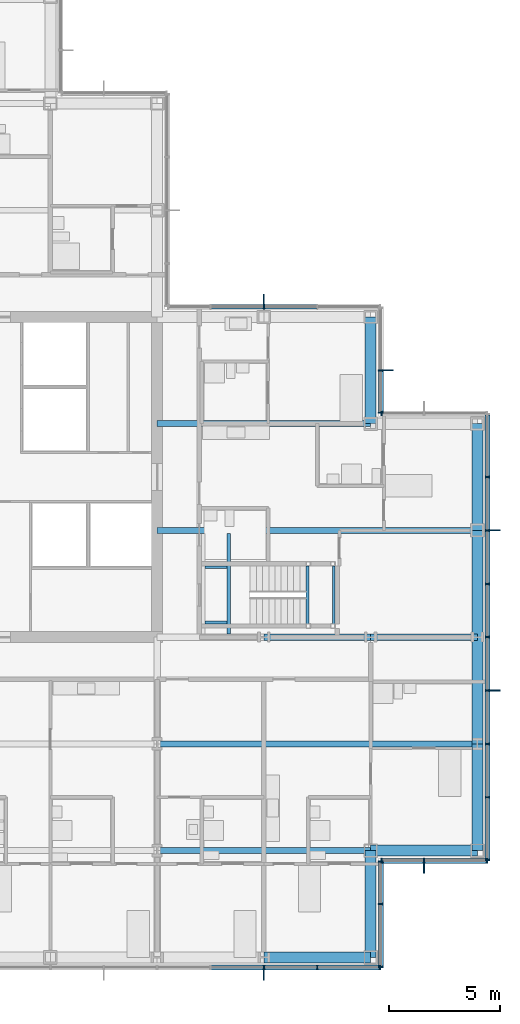
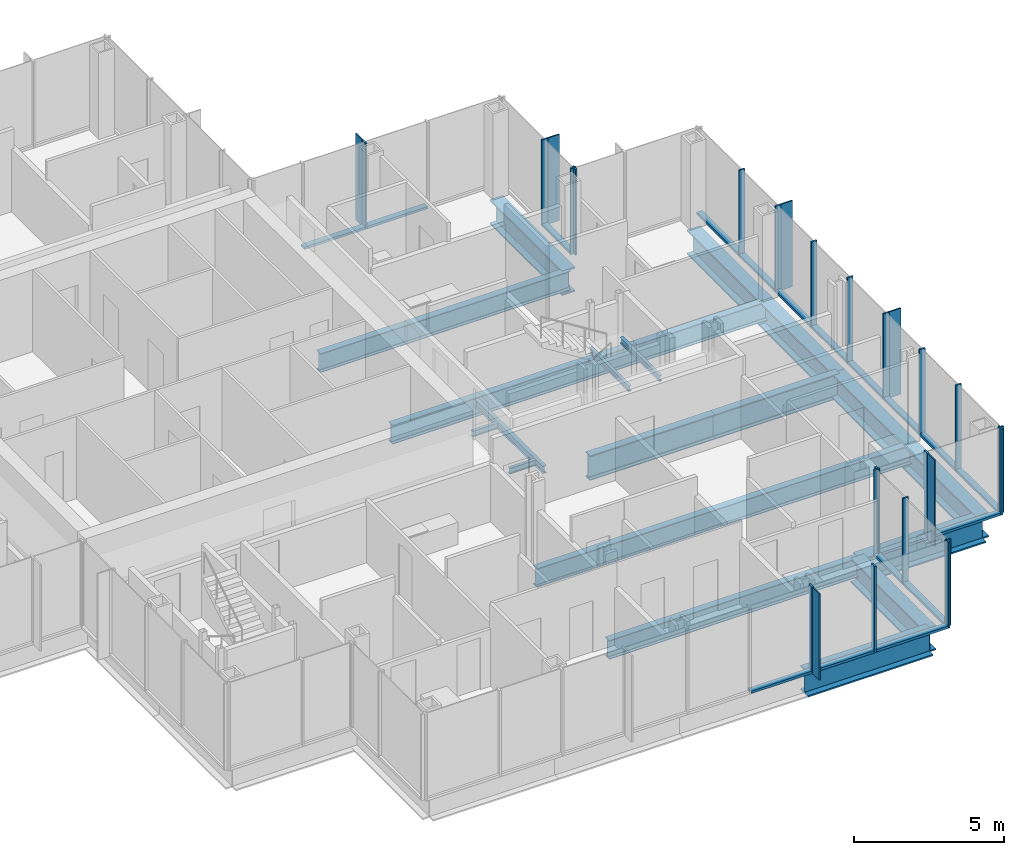
# One storey, part 8 of 20: 45 members, 19 beams, 7 elements without a shape of their own.
"""IFC4 building model written with IfcOpenShell, lengths in metres."""

from ifc_helpers import new_model, si_unit, direction, frame, origin, origin_2d, place, context, subcontext, project, spatial, rectangle, i_section, extrude, material, material_profile, profile_set, type_object, element, aggregate, save


model = new_model("IFC4")

# Units and contexts
model_context = context("Model", 3, precision=1e-05, world=origin(), true_north=direction((0.0, 1.0)))
body_context = subcontext(model_context, "Body", "Model", "MODEL_VIEW")
ifc_project = project(units=[si_unit("LENGTHUNIT", "METRE"), si_unit("AREAUNIT", "SQUARE_METRE"), si_unit("VOLUMEUNIT", "CUBIC_METRE"), si_unit("PLANEANGLEUNIT", "RADIAN"), si_unit("MASSUNIT", "GRAM", prefix="KILO")], contexts=[model_context])

# Site, building, storey
site_placement = place(None, origin())
site = spatial("IfcSite", under=ifc_project, at=site_placement, CompositionType="ELEMENT")
building_placement = place(site_placement, origin())
building = spatial("IfcBuilding", under=site, at=building_placement, Name="Kvirike Care Tower", CompositionType="ELEMENT")
storey_placement = place(building_placement, frame((0.0, 0.0, 115.5)))
storey = spatial("IfcBuildingStorey", under=building, at=storey_placement, Name="L31", CompositionType="ELEMENT", Elevation=115.5)

# Curtain wall, members
ifc_material_1 = material(Name="Anodised aluminium stick system", Category="aluminium")
curtain_wall_type = type_object("IfcCurtainWallType", Name="CW-B STICK CURTAIN WALL", PredefinedType="NOTDEFINED", material=ifc_material_1)
curtain_wall_1_placement = place(storey_placement, origin())
curtain_wall_1 = element("IfcCurtainWall", 1, at=curtain_wall_1_placement, inside=storey, type_object=curtain_wall_type, Name="Curtain wall L31 face 1", PredefinedType="NOTDEFINED")
ifc_material_2 = material(Name="Bronze anodised aluminium fin", Category="aluminium")
ifc_material_profile_1 = material_profile(ifc_material_2, rectangle(XDim=0.050048828125, YDim=0.449951171875, at=origin_2d()), Name="BRONZE FIN 450")
ifc_profile_set_1 = profile_set([ifc_material_profile_1], Name="Bronze anodised aluminium fin")
member_type_1 = type_object("IfcMemberType", Name="BRONZE FIN 450", PredefinedType="USERDEFINED", material=ifc_profile_set_1)
member_1_placement = place(storey_placement, frame((43.9951171875, 26.39990234375, 0.0), z_axis=(0.0, 0.0, 1.0), x_axis=(0.0, 1.0, 0.0)))
member_1 = element("IfcMember", 2, at=member_1_placement, type_object=member_type_1, Name="Bronze fin L31 face 1.4", ObjectType="FIN", PredefinedType="USERDEFINED", context=body_context, shape_type="SweptSolid", body=[
    extrude(rectangle(XDim=0.050048828125, YDim=0.449951171875, at=origin_2d()), origin(), (0.0, 0.0, 1.0), 3.5),
])
member_2_placement = place(storey_placement, frame((43.9951171875, 33.60009765625, 0.0), z_axis=(0.0, 0.0, 1.0), x_axis=(0.0, 1.0, 0.0)))
member_2 = element("IfcMember", 3, at=member_2_placement, type_object=member_type_1, Name="Bronze fin L31 face 1.7", ObjectType="FIN", PredefinedType="USERDEFINED", context=body_context, shape_type="SweptSolid", body=[
    extrude(rectangle(XDim=0.050048828125, YDim=0.449951171875, at=origin_2d()), origin(), (0.0, 0.0, 1.0), 3.5),
])

# Curtain wall, member
curtain_wall_2_placement = place(storey_placement, origin())
curtain_wall_2 = element("IfcCurtainWall", 4, at=curtain_wall_2_placement, inside=storey, type_object=curtain_wall_type, Name="Curtain wall L31 face 3", PredefinedType="NOTDEFINED")
member_3_placement = place(storey_placement, frame((39.195068359375, 40.800048828125, 0.0), z_axis=(0.0, 0.0, 1.0), x_axis=(0.0, 1.0, 0.0)))
member_3 = element("IfcMember", 5, at=member_3_placement, type_object=member_type_1, Name="Bronze fin L31 face 3.2", ObjectType="FIN", PredefinedType="USERDEFINED", context=body_context, shape_type="SweptSolid", body=[
    extrude(rectangle(XDim=0.050048828125, YDim=0.449951171875, at=origin_2d()), origin(), (0.0, 0.0, 1.0), 3.5),
])

curtain_wall_3_placement = place(storey_placement, origin())
curtain_wall_3 = element("IfcCurtainWall", 6, at=curtain_wall_3_placement, inside=storey, type_object=curtain_wall_type, Name="Curtain wall L31 face 4", PredefinedType="NOTDEFINED")
member_4_placement = place(storey_placement, frame((33.60009765625, 43.9951171875, 0.0), z_axis=(0.0, 0.0, 1.0), x_axis=(-1.0, 0.0, 0.0)))
member_4 = element("IfcMember", 7, at=member_4_placement, type_object=member_type_1, Name="Bronze fin L31 face 4.3", ObjectType="FIN", PredefinedType="USERDEFINED", context=body_context, shape_type="SweptSolid", body=[
    extrude(rectangle(XDim=0.050048828125, YDim=0.449951171875, at=origin_2d()), origin(), (0.0, 0.0, 1.0), 3.5),
])

curtain_wall_4_placement = place(storey_placement, origin())
curtain_wall_4 = element("IfcCurtainWall", 8, at=curtain_wall_4_placement, inside=storey, type_object=curtain_wall_type, Name="Curtain wall L31 face 18", PredefinedType="NOTDEFINED")
member_5_placement = place(storey_placement, frame((33.60009765625, 13.60498046875, 0.0), z_axis=(0.0, 0.0, 1.0), x_axis=(1.0, 0.0, 0.0)))
member_5 = element("IfcMember", 9, at=member_5_placement, type_object=member_type_1, Name="Bronze fin L31 face 18.7", ObjectType="FIN", PredefinedType="USERDEFINED", context=body_context, shape_type="SweptSolid", body=[
    extrude(rectangle(XDim=0.050048828125, YDim=0.449951171875, at=origin_2d()), origin(), (0.0, 0.0, 1.0), 3.5),
])

curtain_wall_5_placement = place(storey_placement, origin())
curtain_wall_5 = element("IfcCurtainWall", 10, at=curtain_wall_5_placement, inside=storey, type_object=curtain_wall_type, Name="Curtain wall L31 face 20", PredefinedType="NOTDEFINED")
member_6_placement = place(storey_placement, frame((40.800048828125, 18.405029296875, 0.0), z_axis=(0.0, 0.0, 1.0), x_axis=(1.0, 0.0, 0.0)))
member_6 = element("IfcMember", 11, at=member_6_placement, type_object=member_type_1, Name="Bronze fin L31 face 20.2", ObjectType="FIN", PredefinedType="USERDEFINED", context=body_context, shape_type="SweptSolid", body=[
    extrude(rectangle(XDim=0.050048828125, YDim=0.449951171875, at=origin_2d()), origin(), (0.0, 0.0, 1.0), 3.5),
])

# Member
ifc_material_3 = material(Name="Bronze anodised aluminium mullion", Category="aluminium")
ifc_material_profile_2 = material_profile(ifc_material_3, rectangle(XDim=0.06494140625, YDim=0.219970703125, at=origin_2d()), Name="CW-B MULLION 65x220")
ifc_profile_set_2 = profile_set([ifc_material_profile_2], Name="Bronze anodised aluminium mullion")
member_type_2 = type_object("IfcMemberType", Name="CW-B MULLION 65x220", PredefinedType="MULLION", material=ifc_profile_set_2)
member_7_placement = place(storey_placement, frame((43.659912109375, 18.7724609375, 0.0), z_axis=(0.0, 0.0, 1.0), x_axis=(0.0, 1.0, 0.0)))
member_7 = element("IfcMember", 12, at=member_7_placement, type_object=member_type_2, Name="CW-B mullion L31 face 1.1", PredefinedType="MULLION", context=body_context, shape_type="SweptSolid", body=[
    extrude(rectangle(XDim=0.06494140625, YDim=0.219970703125, at=origin_2d()), origin(), (0.0, 0.0, 1.0), 3.5),
])

member_8_placement = place(storey_placement, frame((43.659912109375, 21.60009765625, 0.0), z_axis=(0.0, 0.0, 1.0), x_axis=(0.0, 1.0, 0.0)))
member_8 = element("IfcMember", 13, at=member_8_placement, type_object=member_type_2, Name="CW-B mullion L31 face 1.2", PredefinedType="MULLION", context=body_context, shape_type="SweptSolid", body=[
    extrude(rectangle(XDim=0.06494140625, YDim=0.219970703125, at=origin_2d()), origin(), (0.0, 0.0, 1.0), 3.5),
])

member_9_placement = place(storey_placement, frame((43.659912109375, 24.0, 0.0), z_axis=(0.0, 0.0, 1.0), x_axis=(0.0, 1.0, 0.0)))
member_9 = element("IfcMember", 14, at=member_9_placement, type_object=member_type_2, Name="CW-B mullion L31 face 1.3", PredefinedType="MULLION", context=body_context, shape_type="SweptSolid", body=[
    extrude(rectangle(XDim=0.06494140625, YDim=0.219970703125, at=origin_2d()), origin(), (0.0, 0.0, 1.0), 3.5),
])

member_10_placement = place(storey_placement, frame((43.659912109375, 26.39990234375, 0.0), z_axis=(0.0, 0.0, 1.0), x_axis=(0.0, 1.0, 0.0)))
member_10 = element("IfcMember", 15, at=member_10_placement, type_object=member_type_2, Name="CW-B mullion L31 face 1.4", PredefinedType="MULLION", context=body_context, shape_type="SweptSolid", body=[
    extrude(rectangle(XDim=0.06494140625, YDim=0.219970703125, at=origin_2d()), origin(), (0.0, 0.0, 1.0), 3.5),
])

member_11_placement = place(storey_placement, frame((43.659912109375, 28.800048828125, 0.0), z_axis=(0.0, 0.0, 1.0), x_axis=(0.0, 1.0, 0.0)))
member_11 = element("IfcMember", 16, at=member_11_placement, type_object=member_type_2, Name="CW-B mullion L31 face 1.5", PredefinedType="MULLION", context=body_context, shape_type="SweptSolid", body=[
    extrude(rectangle(XDim=0.06494140625, YDim=0.219970703125, at=origin_2d()), origin(), (0.0, 0.0, 1.0), 3.5),
])

member_12_placement = place(storey_placement, frame((43.659912109375, 31.199951171875, 0.0), z_axis=(0.0, 0.0, 1.0), x_axis=(0.0, 1.0, 0.0)))
member_12 = element("IfcMember", 17, at=member_12_placement, type_object=member_type_2, Name="CW-B mullion L31 face 1.6", PredefinedType="MULLION", context=body_context, shape_type="SweptSolid", body=[
    extrude(rectangle(XDim=0.06494140625, YDim=0.219970703125, at=origin_2d()), origin(), (0.0, 0.0, 1.0), 3.5),
])

member_13_placement = place(storey_placement, frame((43.659912109375, 33.60009765625, 0.0), z_axis=(0.0, 0.0, 1.0), x_axis=(0.0, 1.0, 0.0)))
member_13 = element("IfcMember", 18, at=member_13_placement, type_object=member_type_2, Name="CW-B mullion L31 face 1.7", PredefinedType="MULLION", context=body_context, shape_type="SweptSolid", body=[
    extrude(rectangle(XDim=0.06494140625, YDim=0.219970703125, at=origin_2d()), origin(), (0.0, 0.0, 1.0), 3.5),
])

member_14_placement = place(storey_placement, frame((43.659912109375, 36.0, 0.0), z_axis=(0.0, 0.0, 1.0), x_axis=(0.0, 1.0, 0.0)))
member_14 = element("IfcMember", 19, at=member_14_placement, type_object=member_type_2, Name="CW-B mullion L31 face 1.8", PredefinedType="MULLION", context=body_context, shape_type="SweptSolid", body=[
    extrude(rectangle(XDim=0.06494140625, YDim=0.219970703125, at=origin_2d()), origin(), (0.0, 0.0, 1.0), 3.5),
])

# Curtain wall, member
curtain_wall_6_placement = place(storey_placement, origin())
curtain_wall_6 = element("IfcCurtainWall", 20, at=curtain_wall_6_placement, inside=storey, type_object=curtain_wall_type, Name="Curtain wall L31 face 2", PredefinedType="NOTDEFINED")
member_15_placement = place(storey_placement, frame((38.892578125, 38.860107421875, 0.0), z_axis=(0.0, 0.0, 1.0), x_axis=(-1.0, 0.0, 0.0)))
member_15 = element("IfcMember", 21, at=member_15_placement, type_object=member_type_2, Name="CW-B mullion L31 face 2.3", PredefinedType="MULLION", context=body_context, shape_type="SweptSolid", body=[
    extrude(rectangle(XDim=0.06494140625, YDim=0.219970703125, at=origin_2d()), origin(), (0.0, 0.0, 1.0), 3.5),
])
aggregate(curtain_wall_6, [member_15])

# Member
member_16_placement = place(storey_placement, frame((38.860107421875, 38.892578125, 0.0), z_axis=(0.0, 0.0, 1.0), x_axis=(0.0, 1.0, 0.0)))
member_16 = element("IfcMember", 22, at=member_16_placement, type_object=member_type_2, Name="CW-B mullion L31 face 3.1", PredefinedType="MULLION", context=body_context, shape_type="SweptSolid", body=[
    extrude(rectangle(XDim=0.06494140625, YDim=0.219970703125, at=origin_2d()), origin(), (0.0, 0.0, 1.0), 3.5),
])

member_17_placement = place(storey_placement, frame((38.860107421875, 40.800048828125, 0.0), z_axis=(0.0, 0.0, 1.0), x_axis=(0.0, 1.0, 0.0)))
member_17 = element("IfcMember", 23, at=member_17_placement, type_object=member_type_2, Name="CW-B mullion L31 face 3.2", PredefinedType="MULLION", context=body_context, shape_type="SweptSolid", body=[
    extrude(rectangle(XDim=0.06494140625, YDim=0.219970703125, at=origin_2d()), origin(), (0.0, 0.0, 1.0), 3.5),
])

member_18_placement = place(storey_placement, frame((33.60009765625, 43.659912109375, 0.0), z_axis=(0.0, 0.0, 1.0), x_axis=(-1.0, 0.0, 0.0)))
member_18 = element("IfcMember", 24, at=member_18_placement, type_object=member_type_2, Name="CW-B mullion L31 face 4.3", PredefinedType="MULLION", context=body_context, shape_type="SweptSolid", body=[
    extrude(rectangle(XDim=0.06494140625, YDim=0.219970703125, at=origin_2d()), origin(), (0.0, 0.0, 1.0), 3.5),
])

member_19_placement = place(storey_placement, frame((33.60009765625, 13.93994140625, 0.0), z_axis=(0.0, 0.0, 1.0), x_axis=(1.0, 0.0, 0.0)))
member_19 = element("IfcMember", 25, at=member_19_placement, type_object=member_type_2, Name="CW-B mullion L31 face 18.7", PredefinedType="MULLION", context=body_context, shape_type="SweptSolid", body=[
    extrude(rectangle(XDim=0.06494140625, YDim=0.219970703125, at=origin_2d()), origin(), (0.0, 0.0, 1.0), 3.5),
])

member_20_placement = place(storey_placement, frame((36.0, 13.93994140625, 0.0), z_axis=(0.0, 0.0, 1.0), x_axis=(1.0, 0.0, 0.0)))
member_20 = element("IfcMember", 26, at=member_20_placement, type_object=member_type_2, Name="CW-B mullion L31 face 18.8", PredefinedType="MULLION", context=body_context, shape_type="SweptSolid", body=[
    extrude(rectangle(XDim=0.06494140625, YDim=0.219970703125, at=origin_2d()), origin(), (0.0, 0.0, 1.0), 3.5),
])

member_21_placement = place(storey_placement, frame((38.827392578125, 13.93994140625, 0.0), z_axis=(0.0, 0.0, 1.0), x_axis=(1.0, 0.0, 0.0)))
member_21 = element("IfcMember", 27, at=member_21_placement, type_object=member_type_2, Name="CW-B mullion L31 face 18.9", PredefinedType="MULLION", context=body_context, shape_type="SweptSolid", body=[
    extrude(rectangle(XDim=0.06494140625, YDim=0.219970703125, at=origin_2d()), origin(), (0.0, 0.0, 1.0), 3.5),
])

# Curtain wall, members
curtain_wall_7_placement = place(storey_placement, origin())
curtain_wall_7 = element("IfcCurtainWall", 28, at=curtain_wall_7_placement, inside=storey, type_object=curtain_wall_type, Name="Curtain wall L31 face 19", PredefinedType="NOTDEFINED")
member_22_placement = place(storey_placement, frame((38.860107421875, 13.972412109375, 0.0), z_axis=(0.0, 0.0, 1.0), x_axis=(0.0, 1.0, 0.0)))
member_22 = element("IfcMember", 29, at=member_22_placement, type_object=member_type_2, Name="CW-B mullion L31 face 19.1", PredefinedType="MULLION", context=body_context, shape_type="SweptSolid", body=[
    extrude(rectangle(XDim=0.06494140625, YDim=0.219970703125, at=origin_2d()), origin(), (0.0, 0.0, 1.0), 3.5),
])
member_23_placement = place(storey_placement, frame((38.860107421875, 16.800048828125, 0.0), z_axis=(0.0, 0.0, 1.0), x_axis=(0.0, 1.0, 0.0)))
member_23 = element("IfcMember", 30, at=member_23_placement, type_object=member_type_2, Name="CW-B mullion L31 face 19.2", PredefinedType="MULLION", context=body_context, shape_type="SweptSolid", body=[
    extrude(rectangle(XDim=0.06494140625, YDim=0.219970703125, at=origin_2d()), origin(), (0.0, 0.0, 1.0), 3.5),
])
member_24_placement = place(storey_placement, frame((38.860107421875, 18.70751953125, 0.0), z_axis=(0.0, 0.0, 1.0), x_axis=(0.0, 1.0, 0.0)))
member_24 = element("IfcMember", 31, at=member_24_placement, type_object=member_type_2, Name="CW-B mullion L31 face 19.3", PredefinedType="MULLION", context=body_context, shape_type="SweptSolid", body=[
    extrude(rectangle(XDim=0.06494140625, YDim=0.219970703125, at=origin_2d()), origin(), (0.0, 0.0, 1.0), 3.5),
])

# Member
member_25_placement = place(storey_placement, frame((38.892578125, 18.739990234375, 0.0), z_axis=(0.0, 0.0, 1.0), x_axis=(1.0, 0.0, 0.0)))
member_25 = element("IfcMember", 32, at=member_25_placement, type_object=member_type_2, Name="CW-B mullion L31 face 20.1", PredefinedType="MULLION", context=body_context, shape_type="SweptSolid", body=[
    extrude(rectangle(XDim=0.06494140625, YDim=0.219970703125, at=origin_2d()), origin(), (0.0, 0.0, 1.0), 3.5),
])

member_26_placement = place(storey_placement, frame((40.800048828125, 18.739990234375, 0.0), z_axis=(0.0, 0.0, 1.0), x_axis=(1.0, 0.0, 0.0)))
member_26 = element("IfcMember", 33, at=member_26_placement, type_object=member_type_2, Name="CW-B mullion L31 face 20.2", PredefinedType="MULLION", context=body_context, shape_type="SweptSolid", body=[
    extrude(rectangle(XDim=0.06494140625, YDim=0.219970703125, at=origin_2d()), origin(), (0.0, 0.0, 1.0), 3.5),
])

member_27_placement = place(storey_placement, frame((43.62744140625, 18.739990234375, 0.0), z_axis=(0.0, 0.0, 1.0), x_axis=(1.0, 0.0, 0.0)))
member_27 = element("IfcMember", 34, at=member_27_placement, type_object=member_type_2, Name="CW-B mullion L31 face 20.3", PredefinedType="MULLION", context=body_context, shape_type="SweptSolid", body=[
    extrude(rectangle(XDim=0.06494140625, YDim=0.219970703125, at=origin_2d()), origin(), (0.0, 0.0, 1.0), 3.5),
])

ifc_material_4 = material(Name="Bronze anodised aluminium transom", Category="aluminium")
ifc_material_profile_3 = material_profile(ifc_material_4, rectangle(XDim=0.219970703125, YDim=0.10009765625, at=origin_2d()), Name="CW-B TRANSOM 220x100")
ifc_profile_set_3 = profile_set([ifc_material_profile_3], Name="Bronze anodised aluminium transom")
member_type_3 = type_object("IfcMemberType", Name="CW-B TRANSOM 220x100", PredefinedType="USERDEFINED", material=ifc_profile_set_3)
member_28_placement = place(storey_placement, frame((43.659912109375, 18.804931640625, 0.050048828125), z_axis=(0.0, 1.0, 0.0), x_axis=(-1.0, 0.0, 0.0)))
member_28 = element("IfcMember", 35, at=member_28_placement, type_object=member_type_3, Name="CW-B sill transom L31 face 1.1", ObjectType="TRANSOM", PredefinedType="USERDEFINED", context=body_context, shape_type="SweptSolid", body=[
    extrude(rectangle(XDim=0.219970703125, YDim=0.10009765625, at=origin_2d()), origin(), (0.0, 0.0, 1.0), 2.762451171875),
])

member_29_placement = place(storey_placement, frame((43.659912109375, 21.632568359375, 0.050048828125), z_axis=(0.0, 1.0, 0.0), x_axis=(-1.0, 0.0, 0.0)))
member_29 = element("IfcMember", 36, at=member_29_placement, type_object=member_type_3, Name="CW-B sill transom L31 face 1.2", ObjectType="TRANSOM", PredefinedType="USERDEFINED", context=body_context, shape_type="SweptSolid", body=[
    extrude(rectangle(XDim=0.219970703125, YDim=0.10009765625, at=origin_2d()), origin(), (0.0, 0.0, 1.0), 2.3349609375),
])

member_30_placement = place(storey_placement, frame((43.659912109375, 24.032470703125, 0.050048828125), z_axis=(0.0, 1.0, 0.0), x_axis=(-1.0, 0.0, 0.0)))
member_30 = element("IfcMember", 37, at=member_30_placement, type_object=member_type_3, Name="CW-B sill transom L31 face 1.3", ObjectType="TRANSOM", PredefinedType="USERDEFINED", context=body_context, shape_type="SweptSolid", body=[
    extrude(rectangle(XDim=0.219970703125, YDim=0.10009765625, at=origin_2d()), origin(), (0.0, 0.0, 1.0), 2.3349609375),
])

member_31_placement = place(storey_placement, frame((43.659912109375, 26.4326171875, 0.050048828125), z_axis=(0.0, 1.0, 0.0), x_axis=(-1.0, 0.0, 0.0)))
member_31 = element("IfcMember", 38, at=member_31_placement, type_object=member_type_3, Name="CW-B sill transom L31 face 1.4", ObjectType="TRANSOM", PredefinedType="USERDEFINED", context=body_context, shape_type="SweptSolid", body=[
    extrude(rectangle(XDim=0.219970703125, YDim=0.10009765625, at=origin_2d()), origin(), (0.0, 0.0, 1.0), 2.3349609375),
])

member_32_placement = place(storey_placement, frame((43.659912109375, 28.83251953125, 0.050048828125), z_axis=(0.0, 1.0, 0.0), x_axis=(-1.0, 0.0, 0.0)))
member_32 = element("IfcMember", 39, at=member_32_placement, type_object=member_type_3, Name="CW-B sill transom L31 face 1.5", ObjectType="TRANSOM", PredefinedType="USERDEFINED", context=body_context, shape_type="SweptSolid", body=[
    extrude(rectangle(XDim=0.219970703125, YDim=0.10009765625, at=origin_2d()), origin(), (0.0, 0.0, 1.0), 2.3349609375),
])

member_33_placement = place(storey_placement, frame((43.659912109375, 31.232421875, 0.050048828125), z_axis=(0.0, 1.0, 0.0), x_axis=(-1.0, 0.0, 0.0)))
member_33 = element("IfcMember", 40, at=member_33_placement, type_object=member_type_3, Name="CW-B sill transom L31 face 1.6", ObjectType="TRANSOM", PredefinedType="USERDEFINED", context=body_context, shape_type="SweptSolid", body=[
    extrude(rectangle(XDim=0.219970703125, YDim=0.10009765625, at=origin_2d()), origin(), (0.0, 0.0, 1.0), 2.3349609375),
])

member_34_placement = place(storey_placement, frame((43.659912109375, 33.632568359375, 0.050048828125), z_axis=(0.0, 1.0, 0.0), x_axis=(-1.0, 0.0, 0.0)))
member_34 = element("IfcMember", 41, at=member_34_placement, type_object=member_type_3, Name="CW-B sill transom L31 face 1.7", ObjectType="TRANSOM", PredefinedType="USERDEFINED", context=body_context, shape_type="SweptSolid", body=[
    extrude(rectangle(XDim=0.219970703125, YDim=0.10009765625, at=origin_2d()), origin(), (0.0, 0.0, 1.0), 2.3349609375),
])

member_35_placement = place(storey_placement, frame((43.659912109375, 36.032470703125, 0.050048828125), z_axis=(0.0, 1.0, 0.0), x_axis=(-1.0, 0.0, 0.0)))
member_35 = element("IfcMember", 42, at=member_35_placement, type_object=member_type_3, Name="CW-B sill transom L31 face 1.8", ObjectType="TRANSOM", PredefinedType="USERDEFINED", context=body_context, shape_type="SweptSolid", body=[
    extrude(rectangle(XDim=0.219970703125, YDim=0.10009765625, at=origin_2d()), origin(), (0.0, 0.0, 1.0), 2.762451171875),
])

aggregate(curtain_wall_1, [member_7, member_8, member_9, member_10, member_1, member_11, member_12, member_13, member_2, member_14, member_28, member_29, member_30, member_31, member_32, member_33, member_34, member_35])

member_36_placement = place(storey_placement, frame((38.860107421875, 38.925048828125, 0.050048828125), z_axis=(0.0, 1.0, 0.0), x_axis=(-1.0, 0.0, 0.0)))
member_36 = element("IfcMember", 43, at=member_36_placement, type_object=member_type_3, Name="CW-B sill transom L31 face 3.1", ObjectType="TRANSOM", PredefinedType="USERDEFINED", context=body_context, shape_type="SweptSolid", body=[
    extrude(rectangle(XDim=0.219970703125, YDim=0.10009765625, at=origin_2d()), origin(), (0.0, 0.0, 1.0), 1.842529296875),
])

aggregate(curtain_wall_2, [member_16, member_17, member_3, member_36])

member_37_placement = place(storey_placement, frame((35.967529296875, 43.659912109375, 0.050048828125), z_axis=(-1.0, 0.0, 0.0), x_axis=(0.0, -1.0, 0.0)))
member_37 = element("IfcMember", 44, at=member_37_placement, type_object=member_type_3, Name="CW-B sill transom L31 face 4.2", ObjectType="TRANSOM", PredefinedType="USERDEFINED", context=body_context, shape_type="SweptSolid", body=[
    extrude(rectangle(XDim=0.219970703125, YDim=0.10009765625, at=origin_2d()), origin(), (0.0, 0.0, 1.0), 2.3349609375),
])

member_38_placement = place(storey_placement, frame((33.5673828125, 43.659912109375, 0.050048828125), z_axis=(-1.0, 0.0, 0.0), x_axis=(0.0, -1.0, 0.0)))
member_38 = element("IfcMember", 45, at=member_38_placement, type_object=member_type_3, Name="CW-B sill transom L31 face 4.3", ObjectType="TRANSOM", PredefinedType="USERDEFINED", context=body_context, shape_type="SweptSolid", body=[
    extrude(rectangle(XDim=0.219970703125, YDim=0.10009765625, at=origin_2d()), origin(), (0.0, 0.0, 1.0), 2.3349609375),
])

aggregate(curtain_wall_3, [member_18, member_4, member_37, member_38])

member_39_placement = place(storey_placement, frame((31.232421875, 13.93994140625, 0.050048828125), z_axis=(1.0, 0.0, 0.0), x_axis=(0.0, 1.0, 0.0)))
member_39 = element("IfcMember", 46, at=member_39_placement, type_object=member_type_3, Name="CW-B sill transom L31 face 18.6", ObjectType="TRANSOM", PredefinedType="USERDEFINED", context=body_context, shape_type="SweptSolid", body=[
    extrude(rectangle(XDim=0.219970703125, YDim=0.10009765625, at=origin_2d()), origin(), (0.0, 0.0, 1.0), 2.3349609375),
])

member_40_placement = place(storey_placement, frame((33.632568359375, 13.93994140625, 0.050048828125), z_axis=(1.0, 0.0, 0.0), x_axis=(0.0, 1.0, 0.0)))
member_40 = element("IfcMember", 47, at=member_40_placement, type_object=member_type_3, Name="CW-B sill transom L31 face 18.7", ObjectType="TRANSOM", PredefinedType="USERDEFINED", context=body_context, shape_type="SweptSolid", body=[
    extrude(rectangle(XDim=0.219970703125, YDim=0.10009765625, at=origin_2d()), origin(), (0.0, 0.0, 1.0), 2.3349609375),
])

member_41_placement = place(storey_placement, frame((36.032470703125, 13.93994140625, 0.050048828125), z_axis=(1.0, 0.0, 0.0), x_axis=(0.0, 1.0, 0.0)))
member_41 = element("IfcMember", 48, at=member_41_placement, type_object=member_type_3, Name="CW-B sill transom L31 face 18.8", ObjectType="TRANSOM", PredefinedType="USERDEFINED", context=body_context, shape_type="SweptSolid", body=[
    extrude(rectangle(XDim=0.219970703125, YDim=0.10009765625, at=origin_2d()), origin(), (0.0, 0.0, 1.0), 2.762451171875),
])

aggregate(curtain_wall_4, [member_19, member_5, member_20, member_21, member_39, member_40, member_41])

member_42_placement = place(storey_placement, frame((38.860107421875, 14.0048828125, 0.050048828125), z_axis=(0.0, 1.0, 0.0), x_axis=(-1.0, 0.0, 0.0)))
member_42 = element("IfcMember", 49, at=member_42_placement, type_object=member_type_3, Name="CW-B sill transom L31 face 19.1", ObjectType="TRANSOM", PredefinedType="USERDEFINED", context=body_context, shape_type="SweptSolid", body=[
    extrude(rectangle(XDim=0.219970703125, YDim=0.10009765625, at=origin_2d()), origin(), (0.0, 0.0, 1.0), 2.7626953125),
])

member_43_placement = place(storey_placement, frame((38.860107421875, 16.83251953125, 0.050048828125), z_axis=(0.0, 1.0, 0.0), x_axis=(-1.0, 0.0, 0.0)))
member_43 = element("IfcMember", 50, at=member_43_placement, type_object=member_type_3, Name="CW-B sill transom L31 face 19.2", ObjectType="TRANSOM", PredefinedType="USERDEFINED", context=body_context, shape_type="SweptSolid", body=[
    extrude(rectangle(XDim=0.219970703125, YDim=0.10009765625, at=origin_2d()), origin(), (0.0, 0.0, 1.0), 1.842529296875),
])

aggregate(curtain_wall_7, [member_22, member_23, member_24, member_42, member_43])

member_44_placement = place(storey_placement, frame((38.925048828125, 18.739990234375, 0.050048828125), z_axis=(1.0, 0.0, 0.0), x_axis=(0.0, 1.0, 0.0)))
member_44 = element("IfcMember", 51, at=member_44_placement, type_object=member_type_3, Name="CW-B sill transom L31 face 20.1", ObjectType="TRANSOM", PredefinedType="USERDEFINED", context=body_context, shape_type="SweptSolid", body=[
    extrude(rectangle(XDim=0.219970703125, YDim=0.10009765625, at=origin_2d()), origin(), (0.0, 0.0, 1.0), 1.842529296875),
])

member_45_placement = place(storey_placement, frame((40.83251953125, 18.739990234375, 0.050048828125), z_axis=(1.0, 0.0, 0.0), x_axis=(0.0, 1.0, 0.0)))
member_45 = element("IfcMember", 52, at=member_45_placement, type_object=member_type_3, Name="CW-B sill transom L31 face 20.2", ObjectType="TRANSOM", PredefinedType="USERDEFINED", context=body_context, shape_type="SweptSolid", body=[
    extrude(rectangle(XDim=0.219970703125, YDim=0.10009765625, at=origin_2d()), origin(), (0.0, 0.0, 1.0), 2.762451171875),
])

aggregate(curtain_wall_5, [member_25, member_26, member_6, member_27, member_44, member_45])

# Beams
ifc_material_5 = material(Name="Steel S355", Category="steel")
ifc_material_profile_4 = material_profile(ifc_material_5, i_section(OverallWidth=0.26806640625, OverallDepth=0.77001953125, WebThickness=0.015625, FlangeThickness=0.025390625, FilletRadius=0.01708984375, at=origin_2d()), Name="IPE 750x196")
ifc_profile_set_4 = profile_set([ifc_material_profile_4], Name="Steel S355")
beam_type_1 = type_object("IfcBeamType", Name="FLOOR BEAM IPE 750x196", PredefinedType="BEAM", material=ifc_profile_set_4)
beam_1_placement = place(storey_placement, frame((28.800048828125, 19.199951171875, -0.554931640625), z_axis=(1.0, 0.0, 0.0), x_axis=(0.0, 1.0, 0.0)))
element("IfcBeam", 53, at=beam_1_placement, inside=storey, type_object=beam_type_1, Name="Floor Beam E9-E11 L31", PredefinedType="BEAM", context=body_context, shape_type="SweptSolid", body=[
    extrude(i_section(OverallWidth=0.26806640625, OverallDepth=0.77001953125, WebThickness=0.015625, FlangeThickness=0.025390625, FilletRadius=0.01708984375, at=origin_2d()), origin(), (0.0, 0.0, 1.0), 9.599853515625),
])
for number, where, z_axis, x_axis, name in (
    (54, (28.800048828125, 24.0, -0.554931640625), (1.0, 0.0, 0.0), (0.0, 1.0, 0.0), "Floor Beam F9-F12 L31"),
    (55, (28.800048828125, 33.60009765625, -0.554931640625), (1.0, 0.0, 0.0), (0.0, 1.0, 0.0), "Floor Beam H9-H12 L31"),
):
    element("IfcBeam", number, at=place(storey_placement, frame(where, z_axis=z_axis, x_axis=x_axis)), inside=storey, type_object=beam_type_1, Name=name, PredefinedType="BEAM", context=body_context, shape_type="SweptSolid", body=[
        extrude(i_section(OverallWidth=0.26806640625, OverallDepth=0.77001953125, WebThickness=0.015625, FlangeThickness=0.025390625, FilletRadius=0.01708984375, at=origin_2d()), origin(), (0.0, 0.0, 1.0), 14.39990234375),
    ])
beam_2_placement = place(storey_placement, frame((28.800048828125, 38.39990234375, -0.554931640625), z_axis=(1.0, 0.0, 0.0), x_axis=(0.0, 1.0, 0.0)))
element("IfcBeam", 56, at=beam_2_placement, inside=storey, type_object=beam_type_1, Name="Floor Beam J9-J11 L31", PredefinedType="BEAM", context=body_context, shape_type="SweptSolid", body=[
    extrude(i_section(OverallWidth=0.26806640625, OverallDepth=0.77001953125, WebThickness=0.015625, FlangeThickness=0.025390625, FilletRadius=0.01708984375, at=origin_2d()), origin(), (0.0, 0.0, 1.0), 9.599853515625),
])
ifc_material_6 = material(Name="Steel S355", Category="steel")
ifc_material_profile_5 = material_profile(ifc_material_6, i_section(OverallWidth=0.300048828125, OverallDepth=1.0, WebThickness=0.01904296875, FlangeThickness=0.035888671875, FilletRadius=0.030029296875, at=origin_2d()), Name="HE 1000 B")
ifc_profile_set_5 = profile_set([ifc_material_profile_5], Name="Steel S355")
beam_type_2 = type_object("IfcBeamType", Name="FRAME BEAM HE 1000 B", PredefinedType="BEAM", material=ifc_profile_set_5)
beam_3_placement = place(storey_placement, frame((33.60009765625, 28.800048828125, -0.669921875), z_axis=(1.0, 0.0, 0.0), x_axis=(0.0, 1.0, 0.0)))
element("IfcBeam", 57, at=beam_3_placement, inside=storey, type_object=beam_type_2, Name="Frame Beam G10-G11 L31", PredefinedType="BEAM", context=body_context, shape_type="SweptSolid", body=[
    extrude(i_section(OverallWidth=0.300048828125, OverallDepth=1.0, WebThickness=0.01904296875, FlangeThickness=0.035888671875, FilletRadius=0.030029296875, at=origin_2d()), origin(), (0.0, 0.0, 1.0), 4.7998046875),
])
beam_4_placement = place(storey_placement, frame((38.39990234375, 28.800048828125, -0.669921875), z_axis=(1.0, 0.0, 0.0), x_axis=(0.0, 1.0, 0.0)))
element("IfcBeam", 58, at=beam_4_placement, inside=storey, type_object=beam_type_2, Name="Frame Beam G11-G12 L31", PredefinedType="BEAM", context=body_context, shape_type="SweptSolid", body=[
    extrude(i_section(OverallWidth=0.300048828125, OverallDepth=1.0, WebThickness=0.01904296875, FlangeThickness=0.035888671875, FilletRadius=0.030029296875, at=origin_2d()), origin(), (0.0, 0.0, 1.0), 4.800048828125),
])
ifc_material_7 = material(Name="Steel S355", Category="steel")
ifc_material_profile_6 = material_profile(ifc_material_7, i_section(OverallWidth=0.5, OverallDepth=1.0, WebThickness=0.030029296875, FlangeThickness=0.06005859375, at=origin_2d()), Name="PG 1000x500x30x60")
ifc_profile_set_6 = profile_set([ifc_material_profile_6], Name="Steel S355")
beam_type_3 = type_object("IfcBeamType", Name="SPANDREL PG 1000x500x30x60", PredefinedType="SPANDREL", material=ifc_profile_set_6)
beam_5_placement = place(storey_placement, frame((33.60009765625, 14.39990234375, -0.669921875), z_axis=(1.0, 0.0, 0.0), x_axis=(0.0, 1.0, 0.0)))
element("IfcBeam", 59, at=beam_5_placement, inside=storey, type_object=beam_type_3, Name="Spandrel D10-D11 L31", PredefinedType="SPANDREL", context=body_context, shape_type="SweptSolid", body=[
    extrude(i_section(OverallWidth=0.5, OverallDepth=1.0, WebThickness=0.030029296875, FlangeThickness=0.06005859375, at=origin_2d()), origin(), (0.0, 0.0, 1.0), 4.7998046875),
])
for number, where, z_axis, x_axis, name in (
    (60, (38.39990234375, 19.199951171875, -0.669921875), (1.0, 0.0, 0.0), (0.0, 1.0, 0.0), "Spandrel E11-E12 L31"),
    (61, (38.39990234375, 14.39990234375, -0.669921875), (0.0, 1.0, 0.0), (-1.0, 0.0, 0.0), "Spandrel D11-E11 L31"),
    (62, (38.39990234375, 38.39990234375, -0.669921875), (0.0, 1.0, 0.0), (-1.0, 0.0, 0.0), "Spandrel J11-K11 L31"),
    (63, (43.199951171875, 19.199951171875, -0.669921875), (0.0, 1.0, 0.0), (-1.0, 0.0, 0.0), "Spandrel E12-F12 L31"),
    (64, (43.199951171875, 24.0, -0.669921875), (0.0, 1.0, 0.0), (-1.0, 0.0, 0.0), "Spandrel F12-G12 L31"),
    (65, (43.199951171875, 28.800048828125, -0.669921875), (0.0, 1.0, 0.0), (-1.0, 0.0, 0.0), "Spandrel G12-H12 L31"),
):
    element("IfcBeam", number, at=place(storey_placement, frame(where, z_axis=z_axis, x_axis=x_axis)), inside=storey, type_object=beam_type_3, Name=name, PredefinedType="SPANDREL", context=body_context, shape_type="SweptSolid", body=[
        extrude(i_section(OverallWidth=0.5, OverallDepth=1.0, WebThickness=0.030029296875, FlangeThickness=0.06005859375, at=origin_2d()), origin(), (0.0, 0.0, 1.0), 4.800048828125),
    ])
beam_6_placement = place(storey_placement, frame((43.199951171875, 33.60009765625, -0.669921875), z_axis=(0.0, 1.0, 0.0), x_axis=(-1.0, 0.0, 0.0)))
element("IfcBeam", 66, at=beam_6_placement, inside=storey, type_object=beam_type_3, Name="Spandrel H12-J12 L31", PredefinedType="SPANDREL", context=body_context, shape_type="SweptSolid", body=[
    extrude(i_section(OverallWidth=0.5, OverallDepth=1.0, WebThickness=0.030029296875, FlangeThickness=0.06005859375, at=origin_2d()), origin(), (0.0, 0.0, 1.0), 4.7998046875),
])
ifc_material_8 = material(Name="Steel S355", Category="steel")
ifc_material_profile_7 = material_profile(ifc_material_8, i_section(OverallWidth=0.1201171875, OverallDepth=0.239990234375, WebThickness=0.006103515625, FlangeThickness=0.009765625, FilletRadius=0.014892578125, at=origin_2d()), Name="IPE 240")
ifc_profile_set_7 = profile_set([ifc_material_profile_7], Name="Steel S355")
beam_type_4 = type_object("IfcBeamType", Name="STAIR LANDING BEAM IPE 240", PredefinedType="BEAM", material=ifc_profile_set_7)
for number, where, z_axis, x_axis, name in (
    (67, (36.739990234375, 29.39990234375, 1.429931640625), (0.0, 1.0, 0.0), (-1.0, 0.0, 0.0), "Stair 2 landing beam back L31"),
    (68, (35.56005859375, 29.39990234375, 1.429931640625), (0.0, 1.0, 0.0), (-1.0, 0.0, 0.0), "Stair 2 landing beam front L31"),
):
    element("IfcBeam", number, at=place(storey_placement, frame(where, z_axis=z_axis, x_axis=x_axis)), inside=storey, type_object=beam_type_4, Name=name, PredefinedType="BEAM", context=body_context, shape_type="SweptSolid", body=[
        extrude(i_section(OverallWidth=0.1201171875, OverallDepth=0.239990234375, WebThickness=0.006103515625, FlangeThickness=0.009765625, FilletRadius=0.014892578125, at=origin_2d()), origin(), (0.0, 0.0, 1.0), 2.60009765625),
    ])
for number, where, z_axis, x_axis, name in (
    (69, (31.949951171875, 29.4599609375, -0.320068359375), (-1.0, 0.0, 0.0), (0.0, -1.0, 0.0), "Stair 2 landing edge beam 1 L31"),
    (70, (31.949951171875, 31.93994140625, -0.320068359375), (-1.0, 0.0, 0.0), (0.0, -1.0, 0.0), "Stair 2 landing edge beam 2 L31"),
):
    element("IfcBeam", number, at=place(storey_placement, frame(where, z_axis=z_axis, x_axis=x_axis)), inside=storey, type_object=beam_type_4, Name=name, PredefinedType="BEAM", context=body_context, shape_type="SweptSolid", body=[
        extrude(i_section(OverallWidth=0.1201171875, OverallDepth=0.239990234375, WebThickness=0.006103515625, FlangeThickness=0.009765625, FilletRadius=0.014892578125, at=origin_2d()), origin(), (0.0, 0.0, 1.0), 1.0),
    ])
ifc_material_9 = material(Name="Steel S355", Category="steel")
ifc_material_profile_8 = material_profile(ifc_material_9, i_section(OverallWidth=0.14990234375, OverallDepth=0.300048828125, WebThickness=0.007080078125, FlangeThickness=0.0107421875, FilletRadius=0.014892578125, at=origin_2d()), Name="IPE 300")
ifc_profile_set_8 = profile_set([ifc_material_profile_8], Name="Steel S355")
beam_type_5 = type_object("IfcBeamType", Name="STAIR TRIMMER IPE 300", PredefinedType="BEAM", material=ifc_profile_set_8)
beam_7_placement = place(storey_placement, frame((32.02490234375, 28.949951171875, -0.35009765625), z_axis=(0.0, 1.0, 0.0), x_axis=(-1.0, 0.0, 0.0)))
element("IfcBeam", 71, at=beam_7_placement, inside=storey, type_object=beam_type_5, Name="Stair 2 trimmer 1 L31", PredefinedType="BEAM", context=body_context, shape_type="SweptSolid", body=[
    extrude(i_section(OverallWidth=0.14990234375, OverallDepth=0.300048828125, WebThickness=0.007080078125, FlangeThickness=0.0107421875, FilletRadius=0.014892578125, at=origin_2d()), origin(), (0.0, 0.0, 1.0), 4.51611328125),
])

save(model, "model.ifc")
